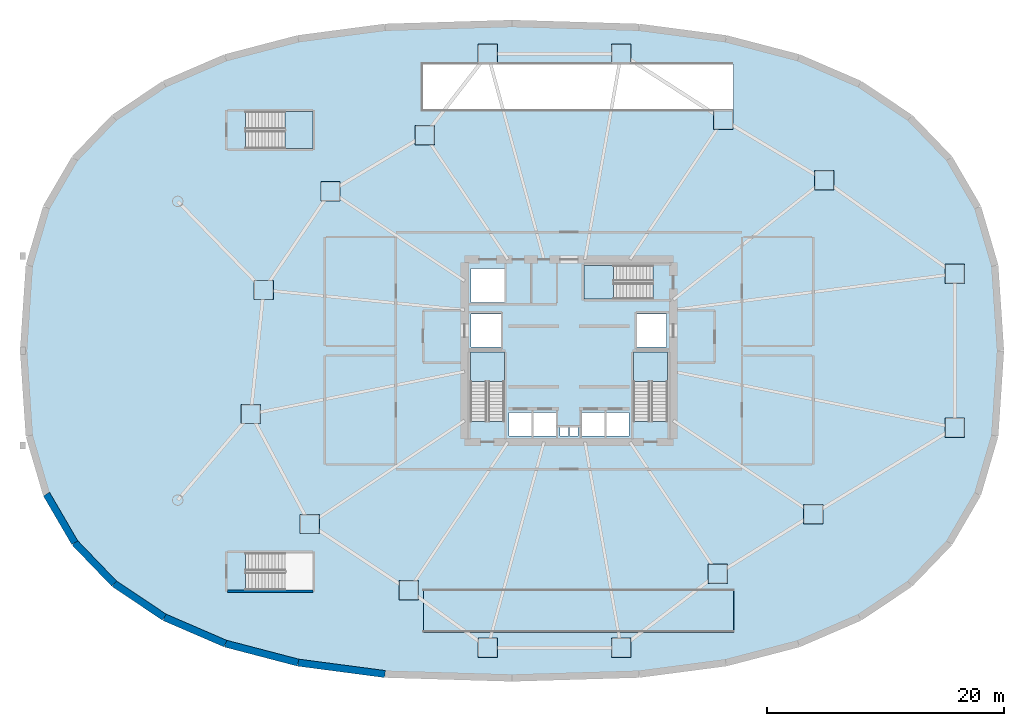
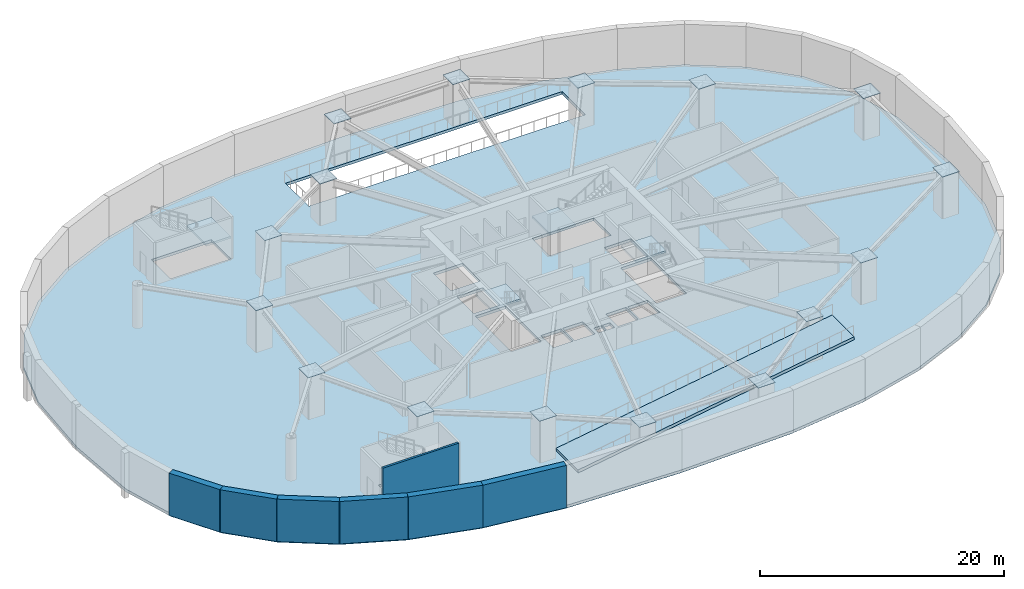
# One storey, part 2 of 10: 16 plates, 7 walls, 6 slabs, 4 elements without a shape of their own.
"""IFC4 building model written with IfcOpenShell, lengths in metres."""

from ifc_helpers import new_model, si_unit, direction, frame, frame_2d, origin, origin_2d, place, context, subcontext, project, spatial, polyline, rectangle, outline, extrude, source, transform, mapped, material, layer, layer_set, type_object, element, aggregate, save


model = new_model("IFC4")

# Units and contexts
model_context = context("Model", 3, precision=1e-05, world=origin(), true_north=direction((0.0, 1.0)))
body_context = subcontext(model_context, "Body", "Model", "MODEL_VIEW")
ifc_project = project(units=[si_unit("LENGTHUNIT", "METRE"), si_unit("AREAUNIT", "SQUARE_METRE"), si_unit("VOLUMEUNIT", "CUBIC_METRE"), si_unit("PLANEANGLEUNIT", "RADIAN"), si_unit("MASSUNIT", "GRAM", prefix="KILO"), si_unit("THERMODYNAMICTEMPERATUREUNIT", "KELVIN")], contexts=[model_context])

# Site, building, storey
site_placement = place(None, origin())
site = spatial("IfcSite", under=ifc_project, at=site_placement, CompositionType="ELEMENT")
building_placement = place(site_placement, origin())
building = spatial("IfcBuilding", under=site, at=building_placement, Name="Kethvar Cultural Tower", CompositionType="ELEMENT")
storey_placement = place(building_placement, frame((0.0, 0.0, -4.5)))
storey = spatial("IfcBuildingStorey", under=building, at=storey_placement, Name="B01", CompositionType="ELEMENT", Elevation=-4.5)

# Slabs
ifc_material_1 = material(Name="Concrete C40/50", Category="concrete")
ifc_layer_1 = layer(ifc_material_1, 0.280029296875, Name="Concrete C40/50", Category="concrete")
ifc_layer_set_1 = layer_set([ifc_layer_1], Name="Concrete C40/50 (280 mm)")
slab_type_1 = type_object("IfcSlabType", Name="SL-BSMT-280", PredefinedType="FLOOR", material=ifc_layer_set_1)
slab_1_placement = place(storey_placement, frame((0.0, 0.0, -0.280029296875)))
element("IfcSlab", 1, at=slab_1_placement, inside=storey, type_object=slab_type_1, Name="B01 Structural Floor Slab", PredefinedType="FLOOR", context=body_context, shape_type="SweptSolid", body=[
    extrude(outline(polyline([(83.199951171875, 27.800048828125), (82.7177734375, 34.978515625), (81.275146484375, 39.8916015625), (78.884521484375, 43.993896484375), (75.56298828125, 47.44580078125), (71.326416015625, 50.283935546875), (66.17333984375, 52.509033203125), (60.0498046875, 54.110595703125), (52.7158203125, 55.076904296875), (42.0, 55.39990234375), (31.2841796875, 55.076904296875), (23.9501953125, 54.110595703125), (17.82666015625, 52.509033203125), (12.673583984375, 50.283935546875), (8.43701171875, 47.44580078125), (5.115478515625, 43.993896484375), (2.724853515625, 39.8916015625), (1.2822265625, 34.978515625), (0.800048828125, 27.800048828125), (1.2822265625, 20.621337890625), (2.724853515625, 15.708251953125), (5.115478515625, 11.606201171875), (8.43701171875, 8.154296875), (12.673583984375, 5.31591796875), (17.82666015625, 3.091064453125), (23.9501953125, 1.489501953125), (31.2841796875, 0.523193359375), (42.0, 0.199951171875), (52.7158203125, 0.523193359375), (60.0498046875, 1.489501953125), (66.17333984375, 3.091064453125), (71.326416015625, 5.31591796875), (75.56298828125, 8.154296875), (78.884521484375, 11.606201171875), (81.275146484375, 15.708251953125), (82.7177734375, 20.621337890625), (83.199951171875, 27.800048828125)]), holes=[polyline([(38.489990234375, 21.85009765625), (38.489990234375, 27.699951171875), (41.35009765625, 27.699951171875), (41.35009765625, 21.85009765625), (38.489990234375, 21.85009765625)]), polyline([(52.25, 21.85009765625), (52.25, 27.699951171875), (55.110107421875, 27.699951171875), (55.110107421875, 21.85009765625), (52.25, 21.85009765625)]), polyline([(53.89990234375, 32.14990234375), (48.050048828125, 32.14990234375), (48.050048828125, 35.010009765625), (53.89990234375, 35.010009765625), (53.89990234375, 32.14990234375)]), polyline([(19.5, 10.760009765625), (25.199951171875, 10.760009765625), (25.199951171875, 7.60009765625), (19.5, 7.60009765625), (19.5, 10.760009765625)]), polyline([(19.5, 48.0), (25.199951171875, 48.0), (25.199951171875, 44.840087890625), (19.5, 44.840087890625), (19.5, 48.0)]), polyline([(41.75, 22.60009765625), (43.64990234375, 22.60009765625), (43.64990234375, 20.60009765625), (41.75, 20.60009765625), (41.75, 22.60009765625)]), polyline([(43.800048828125, 22.60009765625), (45.699951171875, 22.60009765625), (45.699951171875, 20.60009765625), (43.800048828125, 20.60009765625), (43.800048828125, 22.60009765625)]), polyline([(47.89990234375, 22.60009765625), (49.800048828125, 22.60009765625), (49.800048828125, 20.60009765625), (47.89990234375, 20.60009765625), (47.89990234375, 22.60009765625)]), polyline([(49.949951171875, 22.60009765625), (51.85009765625, 22.60009765625), (51.85009765625, 20.60009765625), (49.949951171875, 20.60009765625), (49.949951171875, 22.60009765625)]), polyline([(38.550048828125, 30.89990234375), (41.050048828125, 30.89990234375), (41.050048828125, 28.10009765625), (38.550048828125, 28.10009765625), (38.550048828125, 30.89990234375)]), polyline([(52.550048828125, 30.89990234375), (55.050048828125, 30.89990234375), (55.050048828125, 28.10009765625), (52.550048828125, 28.10009765625), (52.550048828125, 30.89990234375)]), polyline([(38.550048828125, 34.75), (41.35009765625, 34.75), (41.35009765625, 31.85009765625), (38.550048828125, 31.85009765625), (38.550048828125, 34.75)]), polyline([(46.050048828125, 21.35009765625), (46.75, 21.35009765625), (46.75, 20.60009765625), (46.050048828125, 20.60009765625), (46.050048828125, 21.35009765625)]), polyline([(46.85009765625, 21.35009765625), (47.550048828125, 21.35009765625), (47.550048828125, 20.60009765625), (46.85009765625, 20.60009765625), (46.85009765625, 21.35009765625)]), polyline([(34.5, 51.949951171875), (60.699951171875, 51.949951171875), (60.699951171875, 48.14990234375), (34.5, 48.14990234375), (34.5, 51.949951171875)])]), origin(), (0.0, 0.0, 1.0), 0.280029296875),
])
ifc_layer_2 = layer(ifc_material_1, 0.300048828125, Name="Concrete C40/50", Category="concrete")
ifc_layer_set_2 = layer_set([ifc_layer_2], Name="Concrete C40/50 (300 mm)")
slab_type_2 = type_object("IfcSlabType", Name="SL-RAMP-VEH-300", PredefinedType="FLOOR", material=ifc_layer_set_2)
slab_2_placement = place(storey_placement, frame((34.52001953125, 4.050048828125, 0.304931640625), z_axis=(-0.158339463888, 0.0, 0.987384734628), x_axis=(0.987384734628, 0.0, 0.158339463888)))
element("IfcSlab", 2, at=slab_2_placement, inside=storey, type_object=slab_type_2, Name="Basement B01 to Street Vehicle Ramp Slab", PredefinedType="FLOOR", context=body_context, shape_type="SweptSolid", body=[
    extrude(outline(polyline([(0.0, 0.0), (26.494142750994115, 0.0), (26.494142750994115, 3.599853515625), (0.0, 3.599853515625), (0.0, 0.0)])), origin(), (0.0, 0.0, -1.0), 0.300048828125),
])

# Stair, slab
stair_type_1 = type_object("IfcStairType", Name="ST-DOGLEG-135", PredefinedType="HALF_TURN_STAIR", material=ifc_material_1)
stair_1_placement = place(storey_placement, origin())
stair_1 = element("IfcStair", 3, at=stair_1_placement, inside=storey, type_object=stair_type_1, Name="B01 Core Exit Stair 1", PredefinedType="HALF_TURN_STAIR")
ifc_layer_3 = layer(ifc_material_1, 0.199951171875, Name="Concrete C40/50", Category="concrete")
ifc_layer_set_3 = layer_set([ifc_layer_3], Name="Concrete C40/50 (200 mm)")
slab_type_3 = type_object("IfcSlabType", Name="SL-STAIR-LANDING-200", PredefinedType="LANDING", material=ifc_layer_set_3)
slab_3_placement = place(storey_placement, frame((0.0, 0.0, 2.050048828125)))
slab_3 = element("IfcSlab", 4, at=slab_3_placement, type_object=slab_type_3, Name="ST-01 landing 1", PredefinedType="LANDING", context=body_context, shape_type="SweptSolid", body=[
    extrude(outline(polyline([(41.35009765625, 25.2099609375), (41.35009765625, 27.699951171875), (38.489990234375, 27.699951171875), (38.489990234375, 25.2099609375), (41.35009765625, 25.2099609375)])), origin(), (0.0, 0.0, 1.0), 0.199951171875),
])
aggregate(stair_1, [slab_3])

stair_2_placement = place(storey_placement, origin())
stair_2 = element("IfcStair", 5, at=stair_2_placement, inside=storey, type_object=stair_type_1, Name="B01 Core Exit Stair 2", PredefinedType="HALF_TURN_STAIR")
slab_4_placement = place(storey_placement, frame((0.0, 0.0, 2.050048828125)))
slab_4 = element("IfcSlab", 6, at=slab_4_placement, type_object=slab_type_3, Name="ST-02 landing 1", PredefinedType="LANDING", context=body_context, shape_type="SweptSolid", body=[
    extrude(outline(polyline([(55.110107421875, 25.2099609375), (55.110107421875, 27.699951171875), (52.25, 27.699951171875), (52.25, 25.2099609375), (55.110107421875, 25.2099609375)])), origin(), (0.0, 0.0, 1.0), 0.199951171875),
])
aggregate(stair_2, [slab_4])

stair_3_placement = place(storey_placement, origin())
stair_3 = element("IfcStair", 7, at=stair_3_placement, inside=storey, type_object=stair_type_1, Name="B01 Core Exit Stair 3", PredefinedType="HALF_TURN_STAIR")
slab_5_placement = place(storey_placement, frame((0.0, 0.0, 2.050048828125)))
slab_5 = element("IfcSlab", 8, at=slab_5_placement, type_object=slab_type_3, Name="ST-03 landing 1", PredefinedType="LANDING", context=body_context, shape_type="SweptSolid", body=[
    extrude(outline(polyline([(50.5400390625, 35.010009765625), (48.050048828125, 35.010009765625), (48.050048828125, 32.14990234375), (50.5400390625, 32.14990234375), (50.5400390625, 35.010009765625)])), origin(), (0.0, 0.0, 1.0), 0.199951171875),
])
aggregate(stair_3, [slab_5])

stair_type_2 = type_object("IfcStairType", Name="ST-DOGLEG-150", PredefinedType="HALF_TURN_STAIR", material=ifc_material_1)
stair_4_placement = place(storey_placement, origin())
stair_4 = element("IfcStair", 9, at=stair_4_placement, inside=storey, type_object=stair_type_2, Name="B01 Podium Auditorium Exit Stair 5", PredefinedType="HALF_TURN_STAIR")
slab_6_placement = place(storey_placement, frame((0.0, 0.0, 2.050048828125)))
slab_6 = element("IfcSlab", 10, at=slab_6_placement, type_object=slab_type_3, Name="ST-05 landing 1", PredefinedType="LANDING", context=body_context, shape_type="SweptSolid", body=[
    extrude(outline(polyline([(22.860107421875, 44.840087890625), (25.199951171875, 44.840087890625), (25.199951171875, 48.0), (22.860107421875, 48.0), (22.860107421875, 44.840087890625)])), origin(), (0.0, 0.0, 1.0), 0.199951171875),
])
aggregate(stair_4, [slab_6])

# Plates
ifc_material_2 = material(Name="Steel S460M", Category="steel")
ifc_layer_4 = layer(ifc_material_2, 0.0400390625, Name="Steel S460M", Category="steel")
ifc_layer_set_4 = layer_set([ifc_layer_4], Name="Steel S460M (40 mm)")
plate_type = type_object("IfcPlateType", Name="PL-ENDCAP-BOX", PredefinedType="SHEET", material=ifc_layer_set_4)
shared_shape = source(origin(), body_context, "Body", "SweptSolid", [
    extrude(rectangle(XDim=1.639892578125, YDim=1.639892578125, at=origin_2d()), origin(), (0.0, 0.0, 1.0), 0.0400390625),
])
for number, where, z_axis, x_axis, name in (
    (11, (79.362060546875, 34.277099609375, 4.2099609375), (0.0, 0.0, 1.0), (1.0, 0.0, 0.0), "B01 Box Column Diaphragm Cap CP-01"),
    (12, (68.33642578125, 42.190185546875, 4.2099609375), (0.0, 0.0, 1.0), (1.0, 0.0, 0.0), "B01 Box Column Diaphragm Cap CP-02"),
    (13, (59.824951171875, 47.293212890625, 4.2099609375), (0.0, 0.0, 1.0), (1.0, 0.0, 0.0), "B01 Box Column Diaphragm Cap CP-03"),
    (14, (51.199951171875, 52.85009765625, 4.2099609375), (0.0, 0.0, 1.0), (1.0, 0.0, 0.0), "B01 Box Column Diaphragm Cap CP-04"),
    (15, (39.949951171875, 52.85009765625, 4.2099609375), (0.0, 0.0, 1.0), (1.0, 0.0, 0.0), "B01 Box Column Diaphragm Cap CP-05"),
    (16, (34.64599609375, 45.98974609375, 4.2099609375), (0.0, 0.0, 1.0), (1.0, 0.0, 0.0), "B01 Box Column Diaphragm Cap CP-06"),
    (17, (26.6845703125, 41.24072265625, 4.2099609375), (0.0, 0.0, 1.0), (1.0, 0.0, 0.0), "B01 Box Column Diaphragm Cap CP-07"),
    (18, (21.047119140625, 32.922607421875, 4.2099609375), (0.0, 0.0, 1.0), (1.0, 0.0, 0.0), "B01 Box Column Diaphragm Cap CP-08"),
    (19, (19.9658203125, 22.46240234375, 4.2099609375), (0.0, 0.0, 1.0), (1.0, 0.0, 0.0), "B01 Box Column Diaphragm Cap CP-09"),
    (20, (24.9248046875, 13.183349609375, 4.2099609375), (0.0, 0.0, 1.0), (1.0, 0.0, 0.0), "B01 Box Column Diaphragm Cap CP-10"),
    (21, (33.302001953125, 7.598876953125, 4.2099609375), (0.0, 0.0, 1.0), (1.0, 0.0, 0.0), "B01 Box Column Diaphragm Cap CP-11"),
    (22, (39.949951171875, 2.75, 4.2099609375), (0.0, 0.0, 1.0), (1.0, 0.0, 0.0), "B01 Box Column Diaphragm Cap CP-12"),
    (23, (51.199951171875, 2.75, 4.2099609375), (0.0, 0.0, 1.0), (1.0, 0.0, 0.0), "B01 Box Column Diaphragm Cap CP-13"),
    (24, (59.370361328125, 8.987060546875, 4.2099609375), (0.0, 0.0, 1.0), (1.0, 0.0, 0.0), "B01 Box Column Diaphragm Cap CP-14"),
    (25, (67.41845703125, 14.023193359375, 4.2099609375), (0.0, 0.0, 1.0), (1.0, 0.0, 0.0), "B01 Box Column Diaphragm Cap CP-15"),
    (26, (79.362060546875, 21.322998046875, 4.2099609375), (0.0, 0.0, 1.0), (1.0, 0.0, 0.0), "B01 Box Column Diaphragm Cap CP-16"),
):
    element("IfcPlate", number, at=place(storey_placement, frame(where, z_axis=z_axis, x_axis=x_axis)), inside=storey, type_object=plate_type, Name=name, PredefinedType="SHEET", context=body_context, shape_type="MappedRepresentation", body=[
        mapped(shared_shape, transform((0.0, 0.0, 0.0), scale=1.0)),
    ])

# Walls
ifc_material_3 = material(Name="Concrete C45/55", Category="concrete")
ifc_layer_5 = layer(ifc_material_3, 0.60009765625, Name="Concrete C45/55", Category="concrete")
ifc_layer_set_5 = layer_set([ifc_layer_5], Name="Concrete C45/55 (600 mm)")
wall_type_1 = type_object("IfcWallType", Name="WL-BSMT-600", PredefinedType="SHEAR", material=ifc_layer_set_5)
wall_1_placement = place(storey_placement, frame((2.724853515625, 15.708251953125, 0.0), z_axis=(0.0, 0.0, 1.0), x_axis=(0.503519292696, -0.863983982423, 0.0)))
element("IfcWall", 27, at=wall_1_placement, inside=storey, type_object=wall_type_1, Name="B01 Perimeter Retaining Wall 21", PredefinedType="SHEAR", context=body_context, shape_type="SweptSolid", body=[
    extrude(rectangle(XDim=4.747802734375, YDim=0.60009765625, at=frame_2d((2.3740234375, 0.0))), origin(), (0.0, 0.0, 1.0), 4.25),
])
wall_2_placement = place(storey_placement, frame((5.115478515625, 11.606201171875, 0.0), z_axis=(0.0, 0.0, 1.0), x_axis=(0.693368389068, -0.720583289455, 0.0)))
element("IfcWall", 28, at=wall_2_placement, inside=storey, type_object=wall_type_1, Name="B01 Perimeter Retaining Wall 22", PredefinedType="SHEAR", context=body_context, shape_type="SweptSolid", body=[
    extrude(rectangle(XDim=4.79052734375, YDim=0.60009765625, at=frame_2d((2.395263671875, 0.0))), origin(), (0.0, 0.0, 1.0), 4.25),
])
wall_3_placement = place(storey_placement, frame((8.43701171875, 8.154296875, 0.0), z_axis=(0.0, 0.0, 1.0), x_axis=(0.830781268444, -0.556599033419, 0.0)))
element("IfcWall", 29, at=wall_3_placement, inside=storey, type_object=wall_type_1, Name="B01 Perimeter Retaining Wall 23", PredefinedType="SHEAR", context=body_context, shape_type="SweptSolid", body=[
    extrude(rectangle(XDim=5.099609375, YDim=0.60009765625, at=frame_2d((2.5498046875, 0.0))), origin(), (0.0, 0.0, 1.0), 4.25),
])
wall_4_placement = place(storey_placement, frame((12.673583984375, 5.31591796875, 0.0), z_axis=(0.0, 0.0, 1.0), x_axis=(0.918084299297, -0.396385190671, 0.0)))
element("IfcWall", 30, at=wall_4_placement, inside=storey, type_object=wall_type_1, Name="B01 Perimeter Retaining Wall 24", PredefinedType="SHEAR", context=body_context, shape_type="SweptSolid", body=[
    extrude(rectangle(XDim=5.61279296875, YDim=0.60009765625, at=frame_2d((2.806396484375, 0.0))), origin(), (0.0, 0.0, 1.0), 4.25),
])
wall_5_placement = place(storey_placement, frame((17.82666015625, 3.091064453125, 0.0), z_axis=(0.0, 0.0, 1.0), x_axis=(0.967458151093, -0.253031076914, 0.0)))
element("IfcWall", 31, at=wall_5_placement, inside=storey, type_object=wall_type_1, Name="B01 Perimeter Retaining Wall 25", PredefinedType="SHEAR", context=body_context, shape_type="SweptSolid", body=[
    extrude(rectangle(XDim=6.32958984375, YDim=0.60009765625, at=frame_2d((3.164794921875, 0.0))), origin(), (0.0, 0.0, 1.0), 4.25),
])
wall_6_placement = place(storey_placement, frame((23.9501953125, 1.489501953125, 0.0), z_axis=(0.0, 0.0, 1.0), x_axis=(0.991431364125, -0.130628673076, 0.0)))
element("IfcWall", 32, at=wall_6_placement, inside=storey, type_object=wall_type_1, Name="B01 Perimeter Retaining Wall 26", PredefinedType="SHEAR", context=body_context, shape_type="SweptSolid", body=[
    extrude(rectangle(XDim=7.3974609375, YDim=0.60009765625, at=frame_2d((3.69873046875, 0.0))), origin(), (0.0, 0.0, 1.0), 4.25),
])
ifc_material_4 = material(Name="Concrete C50/60", Category="concrete")
ifc_layer_6 = layer(ifc_material_4, 0.199951171875, Name="Concrete C50/60", Category="concrete")
ifc_layer_set_6 = layer_set([ifc_layer_6], Name="Concrete C50/60 (200 mm)")
wall_type_2 = type_object("IfcWallType", Name="WL-STSHAFT-200", PredefinedType="SHEAR", material=ifc_layer_set_6)
wall_7_placement = place(storey_placement, frame((25.199951171875, 7.5, 0.0), z_axis=(0.0, 0.0, 1.0), x_axis=(-1.0, 0.0, 0.0)))
element("IfcWall", 33, at=wall_7_placement, inside=storey, type_object=wall_type_2, Name="B01 ST-04 Stair Shaft Wall LEFT", PredefinedType="SHEAR", context=body_context, shape_type="SweptSolid", body=[
    extrude(rectangle(XDim=7.199951171875, YDim=0.199951171875, at=frame_2d((3.60009765625, 0.0))), origin(), (0.0, 0.0, 1.0), 4.25),
])

save(model, "model.ifc")
